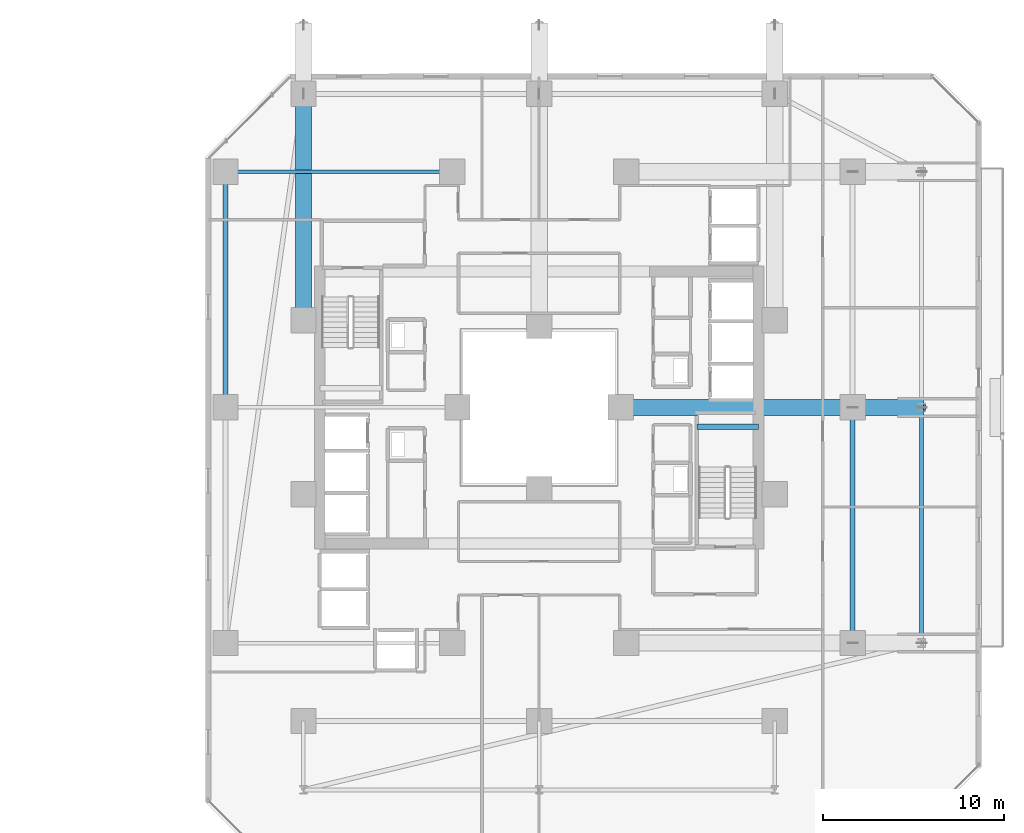
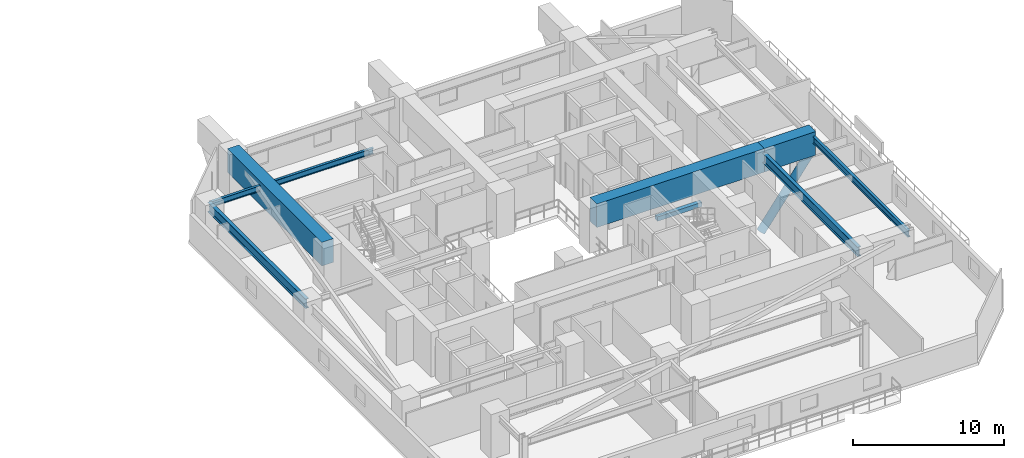
# One storey, part 14 of 36: 8 beams, 1 member.
"""IFC4 building model written with IfcOpenShell, lengths in metres."""

from ifc_helpers import new_model, si_unit, direction, frame, origin, origin_2d, place, context, subcontext, project, spatial, rectangle, hollow_circle, i_section, extrude, material, material_profile, profile_set, type_object, element, save


model = new_model("IFC4")

# Units and contexts
model_context = context("Model", 3, precision=1e-05, world=origin(), true_north=direction((0.0, 1.0)))
body_context = subcontext(model_context, "Body", "Model", "MODEL_VIEW")
ifc_project = project(units=[si_unit("LENGTHUNIT", "METRE"), si_unit("AREAUNIT", "SQUARE_METRE"), si_unit("VOLUMEUNIT", "CUBIC_METRE"), si_unit("PLANEANGLEUNIT", "RADIAN"), si_unit("MASSUNIT", "GRAM", prefix="KILO")], contexts=[model_context])

# Site, building, storey
site_placement = place(None, origin())
site = spatial("IfcSite", under=ifc_project, at=site_placement, CompositionType="ELEMENT")
building_placement = place(site_placement, origin())
building = spatial("IfcBuilding", under=site, at=building_placement, Name="Thornwick Lancets Civic Towers", CompositionType="ELEMENT")
storey_placement = place(building_placement, frame((0.0, 0.0, 45.89990234375)))
storey = spatial("IfcBuildingStorey", under=building, at=storey_placement, Name="L11", CompositionType="ELEMENT", Elevation=45.89990234375)

# Beams
ifc_material_1 = material(Name="Steel S355JR", Category="steel")
ifc_material_profile_1 = material_profile(ifc_material_1, i_section(OverallWidth=0.2119140625, OverallDepth=0.54443359375, WebThickness=0.0126953125, FlangeThickness=0.021240234375, FilletRadius=0.0126953125, at=origin_2d()), Name="UKB 533x210x122")
ifc_profile_set_1 = profile_set([ifc_material_profile_1], Name="Steel S355JR")
beam_type_1 = type_object("IfcBeamType", Name="BM_EDGE_533_122", PredefinedType="SPANDREL", material=ifc_profile_set_1)
beam_1_placement = place(storey_placement, frame((109.60009765625, 14.0, 3.0078125), z_axis=(0.0, 1.0, 0.0), x_axis=(-1.0, 0.0, 0.0)))
element("IfcBeam", 1, at=beam_1_placement, inside=storey, type_object=beam_type_1, Name="BM-EDGE-L11-B-S0-1", PredefinedType="SPANDREL", context=body_context, shape_type="SweptSolid", body=[
    extrude(i_section(OverallWidth=0.2119140625, OverallDepth=0.54443359375, WebThickness=0.0126953125, FlangeThickness=0.021240234375, FilletRadius=0.0126953125, at=origin_2d()), origin(), (0.0, 0.0, 1.0), 13.0),
])
ifc_material_profile_2 = material_profile(ifc_material_1, i_section(OverallWidth=0.26806640625, OverallDepth=0.769775390625, WebThickness=0.015625, FlangeThickness=0.025390625, FilletRadius=0.0166015625, at=origin_2d()), Name="UKB 762x267x197")
ifc_profile_set_2 = profile_set([ifc_material_profile_2], Name="Steel S355JR")
beam_type_2 = type_object("IfcBeamType", Name="BM_GIRD_762_197", PredefinedType="BEAM", material=ifc_profile_set_2)
beam_2_placement = place(storey_placement, frame((105.800048828125, 14.0, 2.895263671875), z_axis=(0.0, 1.0, 0.0), x_axis=(-1.0, 0.0, 0.0)))
element("IfcBeam", 2, at=beam_2_placement, inside=storey, type_object=beam_type_2, Name="BM-SPINE-L11-B-0-1", PredefinedType="BEAM", context=body_context, shape_type="SweptSolid", body=[
    extrude(i_section(OverallWidth=0.26806640625, OverallDepth=0.769775390625, WebThickness=0.015625, FlangeThickness=0.025390625, FilletRadius=0.0166015625, at=origin_2d()), origin(), (0.0, 0.0, 1.0), 13.0),
])
beam_3_placement = place(storey_placement, frame((71.199951171875, 27.080078125, 2.895263671875), z_axis=(0.0, 1.0, 0.0), x_axis=(-1.0, 0.0, 0.0)))
element("IfcBeam", 3, at=beam_3_placement, inside=storey, type_object=beam_type_2, Name="BM-SPINE-L11-B-7-8", PredefinedType="BEAM", context=body_context, shape_type="SweptSolid", body=[
    extrude(i_section(OverallWidth=0.26806640625, OverallDepth=0.769775390625, WebThickness=0.015625, FlangeThickness=0.025390625, FilletRadius=0.0166015625, at=origin_2d()), origin(), (0.0, 0.0, 1.0), 12.919921875),
])
ifc_material_profile_3 = material_profile(ifc_material_1, i_section(OverallWidth=0.19189453125, OverallDepth=0.46337890625, WebThickness=0.010498046875, FlangeThickness=0.017578125, FilletRadius=0.01025390625, at=origin_2d()), Name="UKB 457x191x89")
ifc_profile_set_3 = profile_set([ifc_material_profile_3], Name="Steel S355JR")
beam_type_3 = type_object("IfcBeamType", Name="BM_JOIST_457_89", PredefinedType="JOIST", material=ifc_profile_set_3)
beam_4_placement = place(storey_placement, frame((83.699951171875, 40.0, 3.04833984375), z_axis=(-1.0, 0.0, 0.0), x_axis=(0.0, -1.0, 0.0)))
element("IfcBeam", 4, at=beam_4_placement, inside=storey, type_object=beam_type_3, Name="BM-RADIN-L11-B09", PredefinedType="JOIST", context=body_context, shape_type="SweptSolid", body=[
    extrude(i_section(OverallWidth=0.19189453125, OverallDepth=0.46337890625, WebThickness=0.010498046875, FlangeThickness=0.017578125, FilletRadius=0.01025390625, at=origin_2d()), origin(), (0.0, 0.0, 1.0), 12.5),
])
ifc_material_2 = material(Name="Concrete C40/50", Category="concrete")
ifc_material_profile_4 = material_profile(ifc_material_2, rectangle(XDim=0.300048828125, YDim=0.35009765625, at=origin_2d()), Name="RC 300x350")
ifc_profile_set_4 = profile_set([ifc_material_profile_4], Name="Concrete C40/50")
beam_type_4 = type_object("IfcBeamType", Name="BM_STAIR_LDG", PredefinedType="BEAM", material=ifc_profile_set_4)
beam_5_placement = place(storey_placement, frame((100.60009765625, 25.93505859375, 1.378173828125), z_axis=(-1.0, 0.0, 0.0), x_axis=(0.0, -1.0, 0.0)))
element("IfcBeam", 5, at=beam_5_placement, inside=storey, type_object=beam_type_4, Name="L11 ST-B1 Landing Support Beam 1", PredefinedType="BEAM", context=body_context, shape_type="SweptSolid", body=[
    extrude(rectangle(XDim=0.300048828125, YDim=0.35009765625, at=origin_2d()), origin(), (0.0, 0.0, 1.0), 3.400146484375),
])
ifc_material_3 = material(Name="Concrete C60/75", Category="concrete")
ifc_material_profile_5 = material_profile(ifc_material_3, rectangle(XDim=0.89990234375, YDim=1.89990234375, at=origin_2d()), Name="RC 900x1900")
ifc_profile_set_5 = profile_set([ifc_material_profile_5], Name="Concrete C60/75")
beam_type_5 = type_object("IfcBeamType", Name="BM_TR_RC1900", PredefinedType="BEAM", material=ifc_profile_set_5)
beam_6_placement = place(storey_placement, frame((93.0, 27.0, 2.650146484375), z_axis=(1.0, 0.0, 0.0), x_axis=(0.0, 1.0, 0.0)))
element("IfcBeam", 6, at=beam_6_placement, inside=storey, type_object=beam_type_5, Name="TG-BACK-L12-B02", PredefinedType="BEAM", context=body_context, shape_type="SweptSolid", body=[
    extrude(rectangle(XDim=0.89990234375, YDim=1.89990234375, at=origin_2d()), origin(), (0.0, 0.0, 1.0), 12.800048828125),
])
beam_7_placement = place(storey_placement, frame((105.800048828125, 27.0, 2.650146484375), z_axis=(1.0, 0.0, 0.0), x_axis=(0.0, 1.0, 0.0)))
element("IfcBeam", 7, at=beam_7_placement, inside=storey, type_object=beam_type_5, Name="TG-CANT-L12-B02", PredefinedType="BEAM", context=body_context, shape_type="SweptSolid", body=[
    extrude(rectangle(XDim=0.89990234375, YDim=1.89990234375, at=origin_2d()), origin(), (0.0, 0.0, 1.0), 3.919921875),
])
beam_8_placement = place(storey_placement, frame((75.5, 31.800048828125, 2.650146484375), z_axis=(0.0, 1.0, 0.0), x_axis=(-1.0, 0.0, 0.0)))
element("IfcBeam", 8, at=beam_8_placement, inside=storey, type_object=beam_type_5, Name="TG-BACK-L12-B06", PredefinedType="BEAM", context=body_context, shape_type="SweptSolid", body=[
    extrude(rectangle(XDim=0.89990234375, YDim=1.89990234375, at=origin_2d()), origin(), (0.0, 0.0, 1.0), 12.5),
])

# Member
ifc_material_4 = material(Name="Steel S460M", Category="steel")
ifc_material_profile_6 = material_profile(ifc_material_4, hollow_circle(Radius=0.304931640625, WallThickness=0.030029296875, at=origin_2d()), Name="CHS 610x30")
ifc_profile_set_6 = profile_set([ifc_material_profile_6], Name="Steel S460M")
member_type = type_object("IfcMemberType", Name="MEM_STRUT_CHS610", PredefinedType="STRUT", material=ifc_profile_set_6)
member_placement = place(storey_placement, frame((105.800048828125, 27.0, -3.349853515625), z_axis=(0.595241268987, 0.0, 0.803547031414), x_axis=(0.0, 1.0, 0.0)))
element("IfcMember", 9, at=member_placement, inside=storey, type_object=member_type, Name="L12 Jenga Transfer Raking Strut B02", PredefinedType="STRUT", context=body_context, shape_type="SweptSolid", body=[
    extrude(hollow_circle(Radius=0.304931640625, WallThickness=0.030029296875, at=origin_2d()), origin(), (0.0, 0.0, 1.0), 6.384033203125),
])

save(model, "model.ifc")
